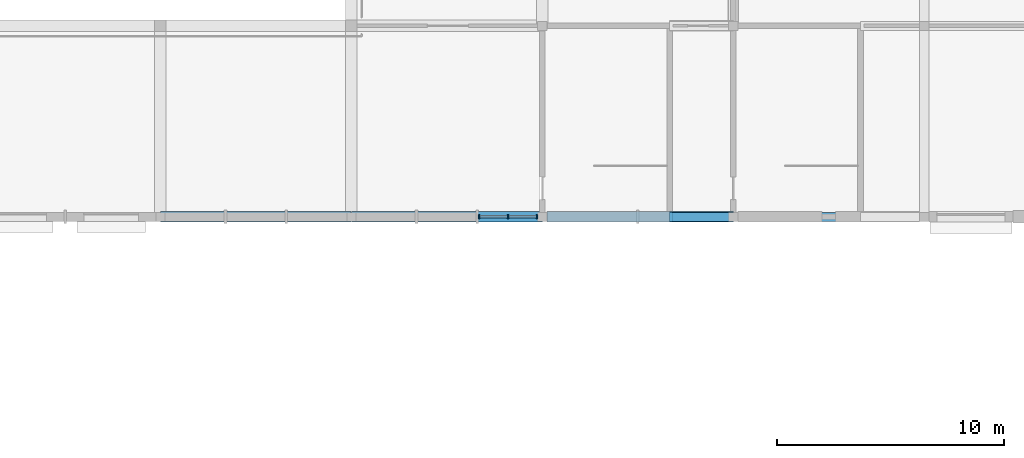
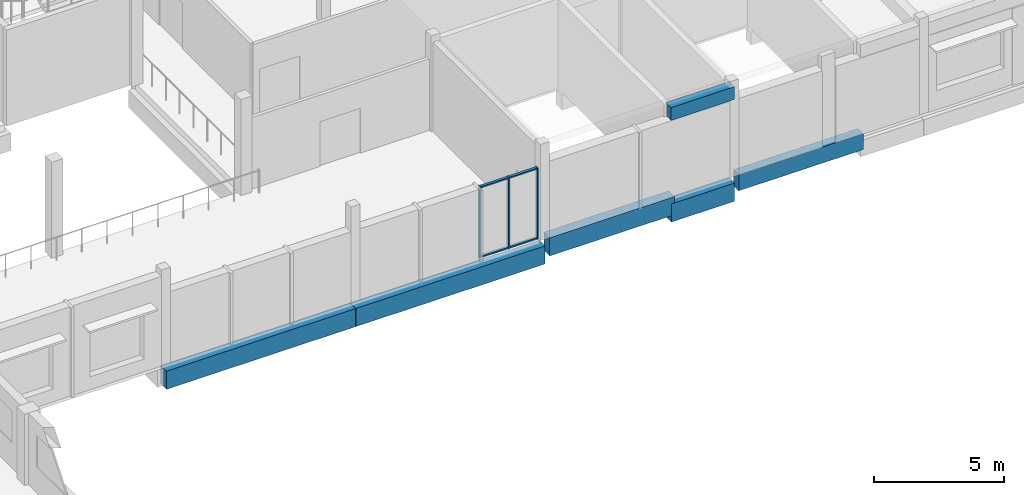
# One storey, part 7 of 38: 7 members, 6 beams, 1 element without a shape of its own.
"""IFC4 building model written with IfcOpenShell, lengths in metres."""

import ifcopenshell
import ifcopenshell.guid

model = None  # the IFC model being written
_history = None  # IfcOwnerHistory: only IFC2X3 demands one
_inside = {}  # id of a spatial element -> (the spatial element, [elements in it])
_under = {}  # id of a project, library or spatial element -> (it, [spatial elements below it])
_declared = {}  # id of a project -> (the project, [libraries it declares])
_typed = {}  # id of a type object -> (the type object, [elements of that type])
_made_of = {}  # id of a material, layer set ... -> (it, [elements and type objects made of it])


def new_model(schema):
    """Start an empty IFC model of exactly this schema.

    Asked for "IFC4X3", IfcOpenShell would pick the latest addendum, in which some entities
    have other attributes; the version numbers below select the first issue.
    IFC2X3 requires an IfcOwnerHistory on every rooted entity: one is made here for all.
    """
    global model, _history
    if schema == "IFC4X3":
        model = ifcopenshell.file(schema_version=(4, 3, 0, 0))
    else:
        model = ifcopenshell.file(schema=schema)
    _inside.clear()
    _under.clear()
    _declared.clear()
    _typed.clear()
    _made_of.clear()
    _history = None
    if model.schema == "IFC2X3":
        org = make("IfcOrganization", Name="unknown")
        user = make(
            "IfcPersonAndOrganization",
            ThePerson=make("IfcPerson", FamilyName="unknown"),
            TheOrganization=org,
        )
        app = make(
            "IfcApplication",
            ApplicationDeveloper=org,
            Version="unknown",
            ApplicationFullName="unknown",
            ApplicationIdentifier="unknown",
        )
        _history = make(
            "IfcOwnerHistory",
            OwningUser=user,
            OwningApplication=app,
            ChangeAction="ADDED",
            CreationDate=0,
        )
    return model


def make(cls, **values):
    """One entity of the class cls with the attributes given. An attribute that is None is left unset."""
    return model.create_entity(
        cls, **{name: value for name, value in values.items() if value is not None}
    )


def rooted(cls, **values):
    """An entity with a GlobalId (a new one), such as an element, a storey or a relation."""
    return make(cls, GlobalId=ifcopenshell.guid.new(), OwnerHistory=_history, **values)


def si_unit(unit_type, name, prefix=None):
    """IfcSIUnit, for example si_unit("LENGTHUNIT", "METRE", prefix="MILLI")."""
    return make("IfcSIUnit", UnitType=unit_type, Prefix=prefix, Name=name)


def assignment(units):
    """IfcUnitAssignment: the units of a project."""
    return None if units is None else make("IfcUnitAssignment", Units=units)


def point(xyz):
    """IfcCartesianPoint."""
    return None if xyz is None else make("IfcCartesianPoint", Coordinates=xyz)


def direction(xyz):
    """IfcDirection."""
    return None if xyz is None else make("IfcDirection", DirectionRatios=xyz)


def frame(location, z_axis=None, x_axis=None):
    """IfcAxis2Placement3D, a coordinate frame: its origin and axes. An axis left out is left unset."""
    return make(
        "IfcAxis2Placement3D",
        Location=point(location),
        Axis=direction(z_axis),
        RefDirection=direction(x_axis),
    )


def frame_2d(location, x_axis=None):
    """IfcAxis2Placement2D, a coordinate frame in the plane: its origin and x axis."""
    return make(
        "IfcAxis2Placement2D", Location=point(location), RefDirection=direction(x_axis)
    )


def origin():
    """The frame at (0, 0, 0) with its axes left unset."""
    return frame((0.0, 0.0, 0.0))


def origin_2d():
    """The frame at (0, 0) in the plane with its x axis left unset."""
    return frame_2d((0.0, 0.0))


def place(relative_to, where):
    """IfcLocalPlacement: puts the frame where relative to a parent placement (None: the world)."""
    return make(
        "IfcLocalPlacement", PlacementRelTo=relative_to, RelativePlacement=where
    )


def context(
    kind, dimensions, precision=None, world=None, true_north=None, identifier=None
):
    """IfcGeometricRepresentationContext, for example the 3D "Model" context."""
    return make(
        "IfcGeometricRepresentationContext",
        ContextIdentifier=identifier,
        ContextType=kind,
        CoordinateSpaceDimension=dimensions,
        Precision=precision,
        WorldCoordinateSystem=world,
        TrueNorth=true_north,
    )


def subcontext(parent, identifier, kind, view, scale=None):
    """IfcGeometricRepresentationSubContext, for example "Body" below "Model"."""
    return make(
        "IfcGeometricRepresentationSubContext",
        ContextIdentifier=identifier,
        ContextType=kind,
        ParentContext=parent,
        TargetScale=scale,
        TargetView=view,
    )


def project(units=None, contexts=None):
    """IfcProject with its units and contexts."""
    return rooted(
        "IfcProject",
        Name="project",
        RepresentationContexts=contexts,
        UnitsInContext=assignment(units),
    )


def spatial(cls, under=None, at=None, **own):
    """A site, building, storey or space (cls), placed at a placement, below another one or the project."""
    s = rooted(cls, ObjectPlacement=at, **own)
    if under is not None:
        _under.setdefault(under.id(), (under, []))[1].append(s)
    return s


def profile(cls, at=None, kind="AREA", **sizes):
    """A parametric profile (cls). Its sizes go by their IFC names, for example OverallWidth=200.0."""
    return make(cls, ProfileType=kind, Position=at, **sizes)


def rectangle(**sizes):
    """IfcRectangleProfileDef."""
    return profile("IfcRectangleProfileDef", **sizes)


def extrude(swept, where, along, depth):
    """IfcExtrudedAreaSolid: the profile swept, set in the frame where, extruded along a direction by depth."""
    return make(
        "IfcExtrudedAreaSolid",
        SweptArea=swept,
        Position=where,
        ExtrudedDirection=direction(along),
        Depth=depth,
    )


def shape(context_of_items, identifier, shape_type, items):
    """IfcShapeRepresentation: the items that make up one representation, for example the "Body"."""
    return make(
        "IfcShapeRepresentation",
        ContextOfItems=context_of_items,
        RepresentationIdentifier=identifier,
        RepresentationType=shape_type,
        Items=items,
    )


def material(Name=None, Category=None):
    """IfcMaterial."""
    return make("IfcMaterial", Name=Name, Category=Category)


def material_profile(
    of_material, cross_section, Name=None, Category=None, Priority=None
):
    """IfcMaterialProfile: a cross section and its material."""
    return make(
        "IfcMaterialProfile",
        Name=Name,
        Material=of_material,
        Profile=cross_section,
        Priority=Priority,
        Category=Category,
    )


def profile_set(profiles, Name=None, composite=None):
    """IfcMaterialProfileSet."""
    return make(
        "IfcMaterialProfileSet",
        Name=Name,
        MaterialProfiles=profiles,
        CompositeProfile=composite,
    )


def made_of(thing, what):
    """Note that an element or type object is made of a material, layer set ...; save() writes the relation."""
    if what is not None:
        _made_of.setdefault(what.id(), (what, []))[1].append(thing)
    return thing


def type_object(cls, material=None, **own):
    """A type object (cls), such as IfcWallType, which elements share."""
    return made_of(rooted(cls, **own), material)


def element(
    cls,
    number,
    at=None,
    inside=None,
    cuts=None,
    type_object=None,
    material=None,
    context=None,
    identifier="Body",
    shape_type=None,
    held_by="IfcProductDefinitionShape",
    body=None,
    shapes=None,
    **own,
):
    """One element of the class cls, such as IfcWall. Its Tag is "e" and its number.

    at: its placement. inside: the storey or other place that contains it. cuts: it is an
    opening in that element (IfcRelVoidsElement). A single representation is given by context,
    identifier, shape_type and body (its items); several are given by shapes. held_by: the class
    of the entity that holds the representations. save() writes the other relations.
    """
    e = rooted(cls, Tag="e%d" % number, ObjectPlacement=at, **own)
    if body is not None:
        shapes = [shape(context, identifier, shape_type, body)]
    if shapes is not None:
        e.Representation = make(held_by, Representations=shapes)
    if inside is not None:
        _inside.setdefault(inside.id(), (inside, []))[1].append(e)
    if cuts is not None:
        rooted(
            "IfcRelVoidsElement", RelatingBuildingElement=cuts, RelatedOpeningElement=e
        )
    if type_object is not None:
        _typed.setdefault(type_object.id(), (type_object, []))[1].append(e)
    return made_of(e, material)


def aggregate(whole, parts):
    """IfcRelAggregates: a whole, such as a stair, and the parts it consists of."""
    return rooted("IfcRelAggregates", RelatingObject=whole, RelatedObjects=parts)


def save(model, path):
    """Write the relations noted so far, then the file.

    IfcRelAggregates (storeys below a building ...), IfcRelContainedInSpatialStructure (elements
    in a storey), IfcRelDefinesByType, IfcRelAssociatesMaterial and IfcRelDeclares: one each for
    every whole, place, type object, material and project.
    """
    for whole, parts in _under.values():
        aggregate(whole, parts)
    for where, things in _inside.values():
        rooted(
            "IfcRelContainedInSpatialStructure",
            RelatedElements=things,
            RelatingStructure=where,
        )
    for kind, things in _typed.values():
        rooted("IfcRelDefinesByType", RelatedObjects=things, RelatingType=kind)
    for what, things in _made_of.values():
        rooted("IfcRelAssociatesMaterial", RelatedObjects=things, RelatingMaterial=what)
    for by, libraries in _declared.values():
        rooted("IfcRelDeclares", RelatingContext=by, RelatedDefinitions=libraries)
    model.write(path)


model = new_model("IFC4")

# Units and contexts
model_context = context("Model", 3, precision=1e-05, world=origin(), true_north=direction((0.0, 1.0)))
body_context = subcontext(model_context, "Body", "Model", "MODEL_VIEW")
ifc_project = project(units=[si_unit("LENGTHUNIT", "METRE"), si_unit("AREAUNIT", "SQUARE_METRE"), si_unit("VOLUMEUNIT", "CUBIC_METRE"), si_unit("PLANEANGLEUNIT", "RADIAN"), si_unit("MASSUNIT", "GRAM", prefix="KILO")], contexts=[model_context])

# Site, building, storey
site_placement = place(None, origin())
site = spatial("IfcSite", under=ifc_project, at=site_placement, CompositionType="ELEMENT")
building_placement = place(site_placement, origin())
building = spatial("IfcBuilding", under=site, at=building_placement, Name="Fescue Hill Polytechnic", CompositionType="ELEMENT")
storey_placement = place(building_placement, frame((0.0, 0.0, 18.0)))
storey = spatial("IfcBuildingStorey", under=building, at=storey_placement, Name="L04", CompositionType="ELEMENT", Elevation=18.0)

# Beams
ifc_material_1 = material(Name="Concrete 35 MPa", Category="concrete")
ifc_material_profile_1 = material_profile(ifc_material_1, rectangle(XDim=0.39990234375, YDim=0.60009765625, at=origin_2d()), Name="RC 400x600")
ifc_profile_set_1 = profile_set([ifc_material_profile_1], Name="Concrete 35 MPa")
beam_type_1 = type_object("IfcBeamType", Name="Beam RC 400x600", PredefinedType="BEAM", material=ifc_profile_set_1)
beam_1_placement = place(storey_placement, frame((56.0, 109.199951171875, 3.89990234375), z_axis=(1.0, 0.0, 0.0), x_axis=(0.0, 1.0, 0.0)))
element("IfcBeam", 1, at=beam_1_placement, inside=storey, type_object=beam_type_1, Name="BR-L04-0003", PredefinedType="BEAM", context=body_context, shape_type="SweptSolid", body=[
    extrude(rectangle(XDim=0.39990234375, YDim=0.60009765625, at=origin_2d()), origin(), (0.0, 0.0, 1.0), 2.800048828125),
])
ifc_material_profile_2 = material_profile(ifc_material_1, rectangle(XDim=0.39990234375, YDim=0.75, at=origin_2d()), Name="RC 400x750")
ifc_profile_set_2 = profile_set([ifc_material_profile_2], Name="Concrete 35 MPa")
beam_type_2 = type_object("IfcBeamType", Name="Beam RC 400x750", PredefinedType="BEAM", material=ifc_profile_set_2)
beam_2_placement = place(storey_placement, frame((59.0, 109.199951171875, -0.375), z_axis=(1.0, 0.0, 0.0), x_axis=(0.0, 1.0, 0.0)))
element("IfcBeam", 2, at=beam_2_placement, inside=storey, type_object=beam_type_2, Name="BM-L04-0129", PredefinedType="BEAM", context=body_context, shape_type="SweptSolid", body=[
    extrude(rectangle(XDim=0.39990234375, YDim=0.75, at=origin_2d()), origin(), (0.0, 0.0, 1.0), 5.52490234375),
])
ifc_material_profile_3 = material_profile(ifc_material_1, rectangle(XDim=0.449951171875, YDim=0.85009765625, at=origin_2d()), Name="RC 450x850")
ifc_profile_set_3 = profile_set([ifc_material_profile_3], Name="Concrete 35 MPa")
beam_type_3 = type_object("IfcBeamType", Name="Beam RC 450x850", PredefinedType="BEAM", material=ifc_profile_set_3)
beam_3_placement = place(storey_placement, frame((33.610107421875, 109.199951171875, -0.72509765625), z_axis=(1.0, 0.0, 0.0), x_axis=(0.0, 1.0, 0.0)))
element("IfcBeam", 3, at=beam_3_placement, inside=storey, type_object=beam_type_3, Name="BM-L04-0063", PredefinedType="BEAM", context=body_context, shape_type="SweptSolid", body=[
    extrude(rectangle(XDim=0.449951171875, YDim=0.85009765625, at=origin_2d()), origin(), (0.0, 0.0, 1.0), 8.3798828125),
])
beam_4_placement = place(storey_placement, frame((42.010009765625, 109.199951171875, -0.72509765625), z_axis=(1.0, 0.0, 0.0), x_axis=(0.0, 1.0, 0.0)))
element("IfcBeam", 4, at=beam_4_placement, inside=storey, type_object=beam_type_3, Name="BM-L04-0070", PredefinedType="BEAM", context=body_context, shape_type="SweptSolid", body=[
    extrude(rectangle(XDim=0.449951171875, YDim=0.85009765625, at=origin_2d()), origin(), (0.0, 0.0, 1.0), 8.389892578125),
])
beam_5_placement = place(storey_placement, frame((56.0, 109.199951171875, -0.72509765625), z_axis=(1.0, 0.0, 0.0), x_axis=(0.0, 1.0, 0.0)))
element("IfcBeam", 5, at=beam_5_placement, inside=storey, type_object=beam_type_3, Name="BM-L04-0077", PredefinedType="BEAM", context=body_context, shape_type="SweptSolid", body=[
    extrude(rectangle(XDim=0.449951171875, YDim=0.85009765625, at=origin_2d()), origin(), (0.0, 0.0, 1.0), 2.800048828125),
])
beam_6_placement = place(storey_placement, frame((50.60009765625, 109.199951171875, -0.425048828125), z_axis=(1.0, 0.0, 0.0), x_axis=(0.0, 1.0, 0.0)))
element("IfcBeam", 6, at=beam_6_placement, inside=storey, type_object=beam_type_3, Name="BM-L04-0128", PredefinedType="BEAM", context=body_context, shape_type="SweptSolid", body=[
    extrude(rectangle(XDim=0.449951171875, YDim=0.85009765625, at=origin_2d()), origin(), (0.0, 0.0, 1.0), 5.52490234375),
])

# Curtain wall, members
ifc_material_2 = material(Name="Glass", Category="glass")
curtain_wall_type = type_object("IfcCurtainWallType", Name="Curtain wall structural glazing", PredefinedType="NOTDEFINED", material=ifc_material_2)
curtain_wall_placement = place(storey_placement, origin())
curtain_wall = element("IfcCurtainWall", 7, at=curtain_wall_placement, inside=storey, type_object=curtain_wall_type, Name="CW-L04-V5-X4", PredefinedType="NOTDEFINED")
ifc_material_3 = material(Name="Powder-coated aluminium", Category="aluminium")
ifc_material_profile_4 = material_profile(ifc_material_3, rectangle(XDim=0.159912109375, YDim=0.06005859375, at=origin_2d()), Name="Mullion aluminium 60x160")
ifc_profile_set_4 = profile_set([ifc_material_profile_4], Name="Powder-coated aluminium")
member_type_1 = type_object("IfcMemberType", Name="Mullion aluminium 60x160", PredefinedType="MULLION", material=ifc_profile_set_4)
member_1_placement = place(storey_placement, frame((47.623291015625, 109.199951171875, 0.0), z_axis=(0.0, 0.0, 1.0), x_axis=(0.0, 1.0, 0.0)))
member_1 = element("IfcMember", 8, at=member_1_placement, type_object=member_type_1, Name="CW165 mullion 1", PredefinedType="MULLION", context=body_context, shape_type="SweptSolid", body=[
    extrude(rectangle(XDim=0.159912109375, YDim=0.06005859375, at=origin_2d()), origin(), (0.0, 0.0, 1.0), 3.330078125),
])
member_2_placement = place(storey_placement, frame((48.896728515625, 109.199951171875, 0.0), z_axis=(0.0, 0.0, 1.0), x_axis=(0.0, 1.0, 0.0)))
member_2 = element("IfcMember", 9, at=member_2_placement, type_object=member_type_1, Name="CW165 mullion 2", PredefinedType="MULLION", context=body_context, shape_type="SweptSolid", body=[
    extrude(rectangle(XDim=0.159912109375, YDim=0.06005859375, at=origin_2d()), origin(), (0.0, 0.0, 1.0), 3.330078125),
])
member_3_placement = place(storey_placement, frame((50.169921875, 109.199951171875, 0.0), z_axis=(0.0, 0.0, 1.0), x_axis=(0.0, 1.0, 0.0)))
member_3 = element("IfcMember", 10, at=member_3_placement, type_object=member_type_1, Name="CW165 mullion 3", PredefinedType="MULLION", context=body_context, shape_type="SweptSolid", body=[
    extrude(rectangle(XDim=0.159912109375, YDim=0.06005859375, at=origin_2d()), origin(), (0.0, 0.0, 1.0), 3.330078125),
])
ifc_material_profile_5 = material_profile(ifc_material_3, rectangle(XDim=0.1201171875, YDim=0.06005859375, at=origin_2d()), Name="Transom aluminium 60x120")
ifc_profile_set_5 = profile_set([ifc_material_profile_5], Name="Powder-coated aluminium")
member_type_2 = type_object("IfcMemberType", Name="Transom aluminium 60x120", PredefinedType="USERDEFINED", material=ifc_profile_set_5)
member_4_placement = place(storey_placement, frame((47.6533203125, 109.199951171875, 0.030029296875), z_axis=(1.0, 0.0, 0.0), x_axis=(0.0, 1.0, 0.0)))
member_4 = element("IfcMember", 11, at=member_4_placement, type_object=member_type_2, Name="CW165 transom 1.1", ObjectType="TRANSOM", PredefinedType="USERDEFINED", context=body_context, shape_type="SweptSolid", body=[
    extrude(rectangle(XDim=0.1201171875, YDim=0.06005859375, at=origin_2d()), origin(), (0.0, 0.0, 1.0), 1.21337890625),
])
member_5_placement = place(storey_placement, frame((47.6533203125, 109.199951171875, 3.300048828125), z_axis=(1.0, 0.0, 0.0), x_axis=(0.0, 1.0, 0.0)))
member_5 = element("IfcMember", 12, at=member_5_placement, type_object=member_type_2, Name="CW165 transom 1.2", ObjectType="TRANSOM", PredefinedType="USERDEFINED", context=body_context, shape_type="SweptSolid", body=[
    extrude(rectangle(XDim=0.1201171875, YDim=0.06005859375, at=origin_2d()), origin(), (0.0, 0.0, 1.0), 1.21337890625),
])
member_6_placement = place(storey_placement, frame((48.9267578125, 109.199951171875, 0.030029296875), z_axis=(1.0, 0.0, 0.0), x_axis=(0.0, 1.0, 0.0)))
member_6 = element("IfcMember", 13, at=member_6_placement, type_object=member_type_2, Name="CW165 transom 2.1", ObjectType="TRANSOM", PredefinedType="USERDEFINED", context=body_context, shape_type="SweptSolid", body=[
    extrude(rectangle(XDim=0.1201171875, YDim=0.06005859375, at=origin_2d()), origin(), (0.0, 0.0, 1.0), 1.213134765625),
])
member_7_placement = place(storey_placement, frame((48.9267578125, 109.199951171875, 3.300048828125), z_axis=(1.0, 0.0, 0.0), x_axis=(0.0, 1.0, 0.0)))
member_7 = element("IfcMember", 14, at=member_7_placement, type_object=member_type_2, Name="CW165 transom 2.2", ObjectType="TRANSOM", PredefinedType="USERDEFINED", context=body_context, shape_type="SweptSolid", body=[
    extrude(rectangle(XDim=0.1201171875, YDim=0.06005859375, at=origin_2d()), origin(), (0.0, 0.0, 1.0), 1.213134765625),
])
aggregate(curtain_wall, [member_1, member_2, member_3, member_4, member_5, member_6, member_7])

save(model, "model.ifc")
